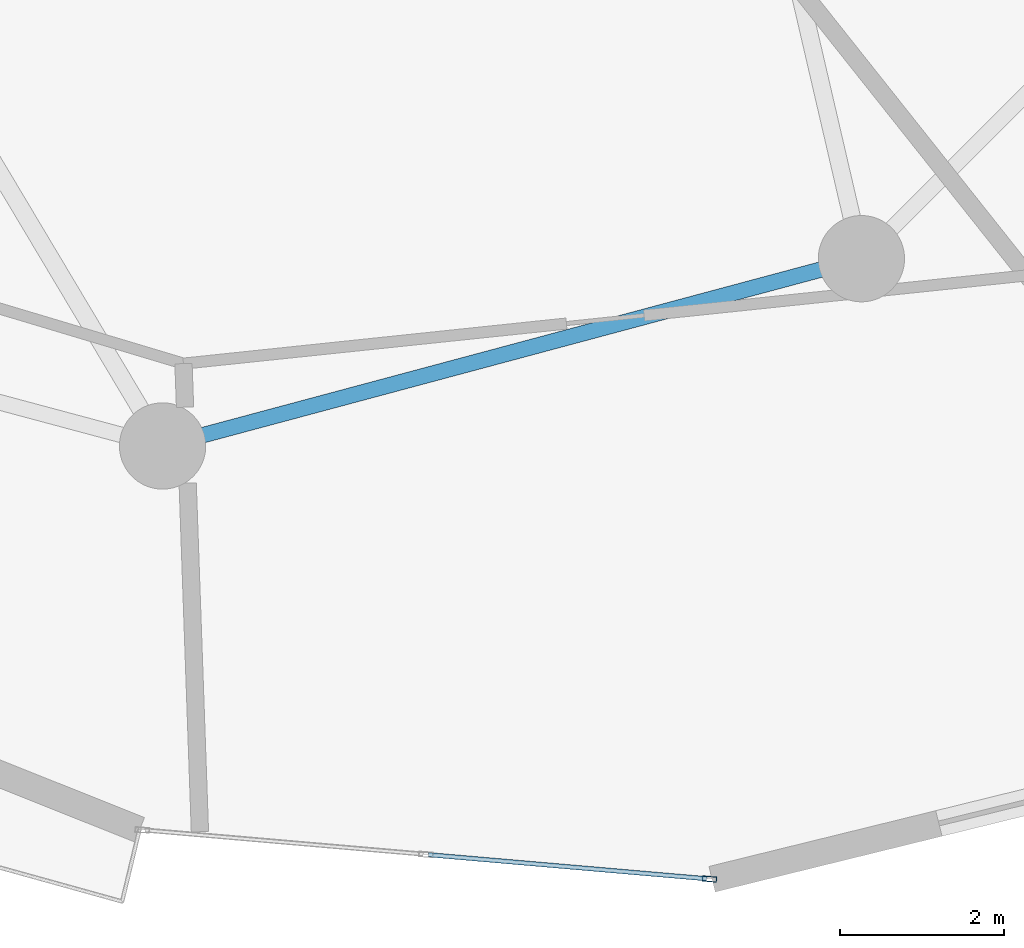
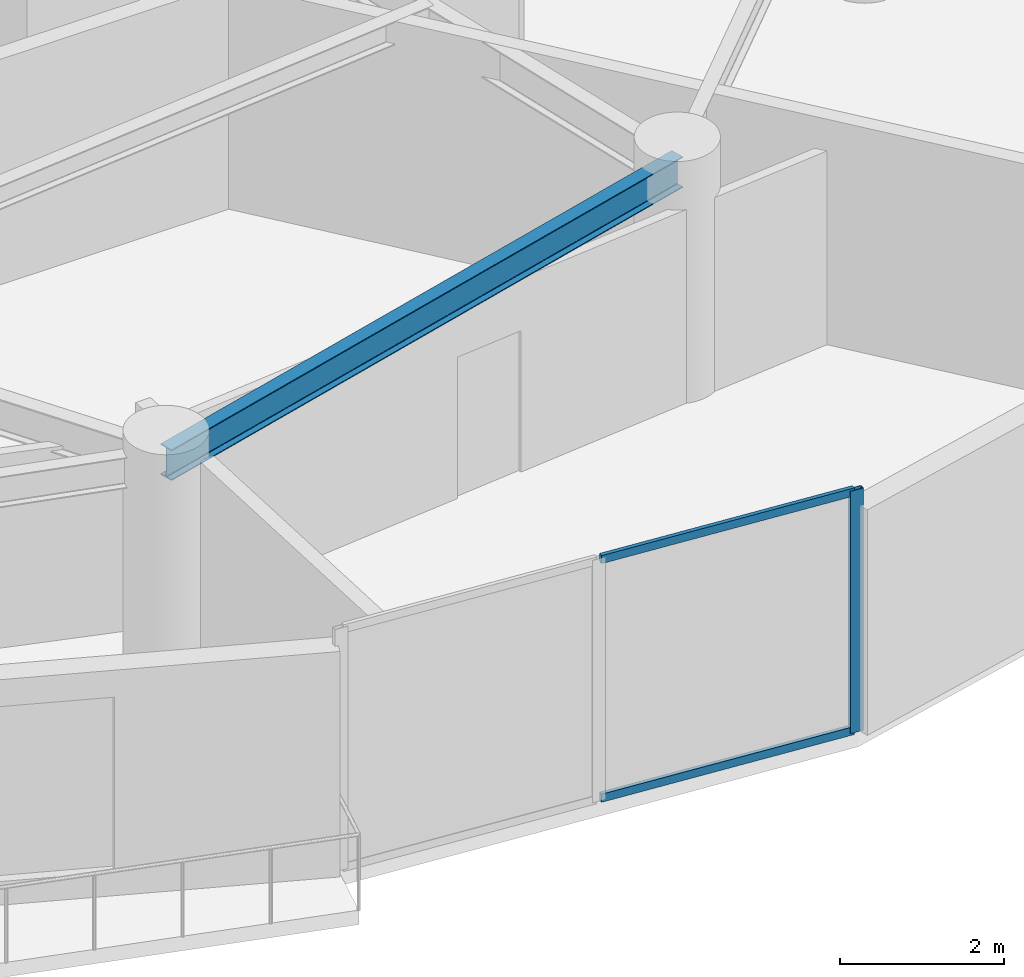
# One storey, part 3 of 22: 3 members, 1 beam, 1 element without a shape of its own.
"""IFC4 building model written with IfcOpenShell, lengths in metres."""

from ifc_helpers import new_model, si_unit, direction, frame, origin, origin_2d, place, context, subcontext, project, spatial, hollow_rectangle, i_section, extrude, source, transform, mapped, material, layer, layer_set, material_profile, profile_set, type_object, element, aggregate, save


model = new_model("IFC4")

# Units and contexts
model_context = context("Model", 3, precision=1e-05, world=origin(), true_north=direction((0.0, 1.0)))
body_context = subcontext(model_context, "Body", "Model", "MODEL_VIEW")
ifc_project = project(units=[si_unit("LENGTHUNIT", "METRE"), si_unit("AREAUNIT", "SQUARE_METRE"), si_unit("VOLUMEUNIT", "CUBIC_METRE"), si_unit("PLANEANGLEUNIT", "RADIAN"), si_unit("MASSUNIT", "GRAM", prefix="KILO")], contexts=[model_context])

# Site, building, storey
site_placement = place(None, origin())
site = spatial("IfcSite", under=ifc_project, at=site_placement, CompositionType="ELEMENT")
building_placement = place(site_placement, origin())
building = spatial("IfcBuilding", under=site, at=building_placement, Name="Solvirekh Grand Hotel", CompositionType="ELEMENT")
storey_placement = place(building_placement, frame((0.0, 0.0, 145.800048828125)))
storey = spatial("IfcBuildingStorey", under=building, at=storey_placement, Name="L37", CompositionType="ELEMENT", Elevation=145.800048828125)

# Beam
ifc_material_1 = material(Name="Steel S355", Category="steel")
ifc_material_profile_1 = material_profile(ifc_material_1, i_section(OverallWidth=0.18994140625, OverallDepth=0.45703125, WebThickness=0.009033203125, FlangeThickness=0.013916015625, FilletRadius=0.012939453125, at=origin_2d()), Name="W460X74")
ifc_profile_set_1 = profile_set([ifc_material_profile_1], Name="Steel S355")
beam_type = type_object("IfcBeamType", Name="Spandrel_Ring_W460", PredefinedType="SPANDREL", material=ifc_profile_set_1)
beam_placement = place(storey_placement, frame((0.0, -17.0, 3.1220703125), z_axis=(0.965911391906, 0.258872908946, 0.0), x_axis=(-0.258872908946, 0.965911391906, 0.0)))
element("IfcBeam", 1, at=beam_placement, inside=storey, type_object=beam_type, Name="L37 perimeter spandrel beam 10", PredefinedType="SPANDREL", context=body_context, shape_type="SweptSolid", body=[
    extrude(i_section(OverallWidth=0.18994140625, OverallDepth=0.45703125, WebThickness=0.009033203125, FlangeThickness=0.013916015625, FilletRadius=0.012939453125, at=origin_2d()), origin(), (0.0, 0.0, 1.0), 8.800048828125),
])

# Curtain wall, members
ifc_material_2 = material(Name="Anodized Bronze Aluminium 6063-T6", Category="aluminium")
ifc_layer = layer(ifc_material_2, 0.175048828125)
ifc_layer_set = layer_set([ifc_layer], Name="Anodized Bronze Aluminium 6063-T6")
curtain_wall_type = type_object("IfcCurtainWallType", Name="CW_Sys3_MidZoneFlushBronzeCW", PredefinedType="NOTDEFINED", material=ifc_layer_set)
curtain_wall_placement = place(storey_placement, origin())
curtain_wall = element("IfcCurtainWall", 2, at=curtain_wall_placement, inside=storey, type_object=curtain_wall_type, Name="L37 unitised bronze-glass curtain wall CW-L37-C18", PredefinedType="NOTDEFINED")
ifc_material_profile_2 = material_profile(ifc_material_2, hollow_rectangle(XDim=0.06494140625, YDim=0.175048828125, WallThickness=0.0048828125, at=origin_2d()), Name="ALU RHS 175X65X5")
ifc_profile_set_2 = profile_set([ifc_material_profile_2], Name="Anodized Bronze Aluminium 6063-T6")
member_type_1 = type_object("IfcMemberType", Name="CWMullion_Sys3", PredefinedType="MULLION", material=ifc_profile_set_2)
shared_shape_1 = source(origin(), body_context, "Body", "SweptSolid", [
    extrude(hollow_rectangle(XDim=0.06494140625, YDim=0.175048828125, WallThickness=0.0048828125, at=origin_2d()), origin(), (0.0, 0.0, 1.0), 3.599853515625),
])
member_1_placement = place(storey_placement, frame((6.651611328125, -22.26708984375, 0.0), z_axis=(0.0, 0.0, 1.0), x_axis=(0.086123385444, 0.996284478691, 0.0)))
member_1 = element("IfcMember", 3, at=member_1_placement, type_object=member_type_1, Name="U03 mullion 3", PredefinedType="MULLION", context=body_context, shape_type="MappedRepresentation", body=[
    mapped(shared_shape_1, transform((0.0, 0.0, 0.0), x_axis=(1.0, 0.0, 0.0), y_axis=(0.0, 1.0, 0.0), z_axis=(0.0, 0.0, 1.0), scale=1.0)),
])
ifc_material_profile_3 = material_profile(ifc_material_2, hollow_rectangle(XDim=0.054931640625, YDim=0.1201171875, WallThickness=0.00390625, at=origin_2d()), Name="ALU RHS 120X55X4")
ifc_profile_set_3 = profile_set([ifc_material_profile_3], Name="Anodized Bronze Aluminium 6063-T6")
member_type_2 = type_object("IfcMemberType", Name="CWTransom_Sys3", PredefinedType="USERDEFINED", material=ifc_profile_set_3)
shared_shape_2 = source(origin(), body_context, "Body", "SweptSolid", [
    extrude(hollow_rectangle(XDim=0.054931640625, YDim=0.1201171875, WallThickness=0.00390625, at=origin_2d()), origin(), (0.0, 0.0, 1.0), 3.3974609375),
])
member_2_placement = place(storey_placement, frame((3.234375, -21.9716796875, 0.02734375), z_axis=(0.996281194908, -0.086161364159, 0.0), x_axis=(0.086161364159, 0.996281194908, 0.0)))
member_2 = element("IfcMember", 4, at=member_2_placement, type_object=member_type_2, Name="U03 transom 2.1", ObjectType="TRANSOM", PredefinedType="USERDEFINED", context=body_context, shape_type="MappedRepresentation", body=[
    mapped(shared_shape_2, transform((0.0, 0.0, 0.0), x_axis=(1.0, 0.0, 0.0), y_axis=(0.0, 1.0, 0.0), z_axis=(0.0, 0.0, 1.0), scale=1.0)),
])
member_3_placement = place(storey_placement, frame((3.234375, -21.9716796875, 3.572509765625), z_axis=(0.996281194908, -0.086161364159, 0.0), x_axis=(0.086161364159, 0.996281194908, 0.0)))
member_3 = element("IfcMember", 5, at=member_3_placement, type_object=member_type_2, Name="U03 transom 2.2", ObjectType="TRANSOM", PredefinedType="USERDEFINED", context=body_context, shape_type="MappedRepresentation", body=[
    mapped(shared_shape_2, transform((0.0, 0.0, 0.0), x_axis=(1.0, 0.0, 0.0), y_axis=(0.0, 1.0, 0.0), z_axis=(0.0, 0.0, 1.0), scale=1.0)),
])
aggregate(curtain_wall, [member_1, member_2, member_3])

save(model, "model.ifc")
